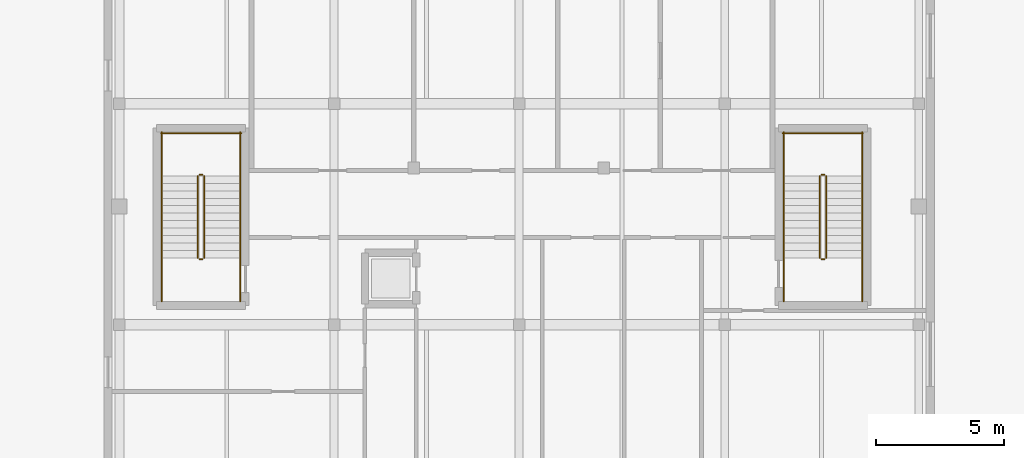
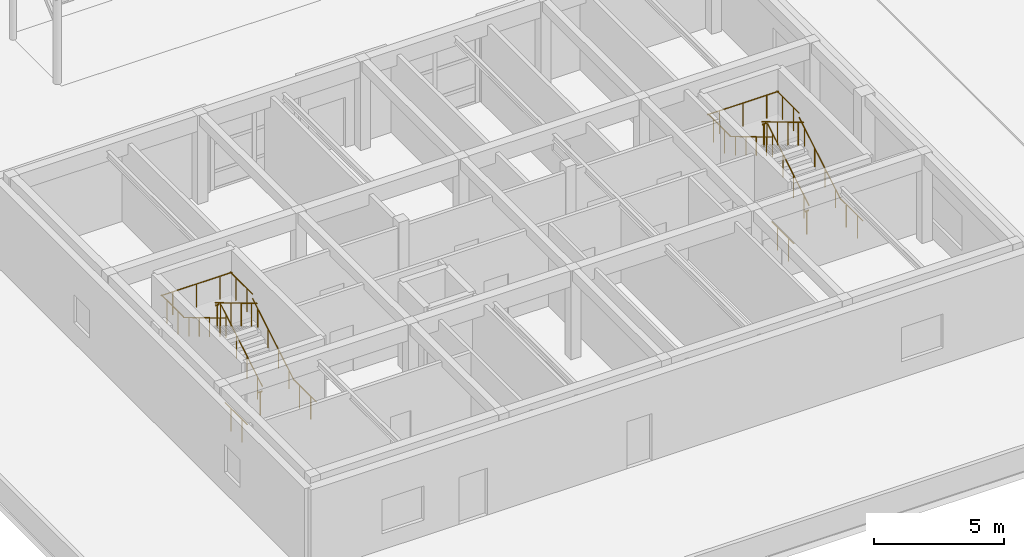
# One storey, part 94 of 114: 22 railings.
"""IFC4 building model written with IfcOpenShell, lengths in metres."""

import ifcopenshell
import ifcopenshell.guid

model = None  # the IFC model being written
_history = None  # IfcOwnerHistory: only IFC2X3 demands one
_inside = {}  # id of a spatial element -> (the spatial element, [elements in it])
_under = {}  # id of a project, library or spatial element -> (it, [spatial elements below it])
_declared = {}  # id of a project -> (the project, [libraries it declares])
_typed = {}  # id of a type object -> (the type object, [elements of that type])
_made_of = {}  # id of a material, layer set ... -> (it, [elements and type objects made of it])


def new_model(schema):
    """Start an empty IFC model of exactly this schema.

    Asked for "IFC4X3", IfcOpenShell would pick the latest addendum, in which some entities
    have other attributes; the version numbers below select the first issue.
    IFC2X3 requires an IfcOwnerHistory on every rooted entity: one is made here for all.
    """
    global model, _history
    if schema == "IFC4X3":
        model = ifcopenshell.file(schema_version=(4, 3, 0, 0))
    else:
        model = ifcopenshell.file(schema=schema)
    _inside.clear()
    _under.clear()
    _declared.clear()
    _typed.clear()
    _made_of.clear()
    _history = None
    if model.schema == "IFC2X3":
        org = make("IfcOrganization", Name="unknown")
        user = make(
            "IfcPersonAndOrganization",
            ThePerson=make("IfcPerson", FamilyName="unknown"),
            TheOrganization=org,
        )
        app = make(
            "IfcApplication",
            ApplicationDeveloper=org,
            Version="unknown",
            ApplicationFullName="unknown",
            ApplicationIdentifier="unknown",
        )
        _history = make(
            "IfcOwnerHistory",
            OwningUser=user,
            OwningApplication=app,
            ChangeAction="ADDED",
            CreationDate=0,
        )
    return model


def make(cls, **values):
    """One entity of the class cls with the attributes given. An attribute that is None is left unset."""
    return model.create_entity(
        cls, **{name: value for name, value in values.items() if value is not None}
    )


def rooted(cls, **values):
    """An entity with a GlobalId (a new one), such as an element, a storey or a relation."""
    return make(cls, GlobalId=ifcopenshell.guid.new(), OwnerHistory=_history, **values)


def si_unit(unit_type, name, prefix=None):
    """IfcSIUnit, for example si_unit("LENGTHUNIT", "METRE", prefix="MILLI")."""
    return make("IfcSIUnit", UnitType=unit_type, Prefix=prefix, Name=name)


def assignment(units):
    """IfcUnitAssignment: the units of a project."""
    return None if units is None else make("IfcUnitAssignment", Units=units)


def point(xyz):
    """IfcCartesianPoint."""
    return None if xyz is None else make("IfcCartesianPoint", Coordinates=xyz)


def direction(xyz):
    """IfcDirection."""
    return None if xyz is None else make("IfcDirection", DirectionRatios=xyz)


def frame(location, z_axis=None, x_axis=None):
    """IfcAxis2Placement3D, a coordinate frame: its origin and axes. An axis left out is left unset."""
    return make(
        "IfcAxis2Placement3D",
        Location=point(location),
        Axis=direction(z_axis),
        RefDirection=direction(x_axis),
    )


def frame_2d(location, x_axis=None):
    """IfcAxis2Placement2D, a coordinate frame in the plane: its origin and x axis."""
    return make(
        "IfcAxis2Placement2D", Location=point(location), RefDirection=direction(x_axis)
    )


def origin():
    """The frame at (0, 0, 0) with its axes left unset."""
    return frame((0.0, 0.0, 0.0))


def origin_2d():
    """The frame at (0, 0) in the plane with its x axis left unset."""
    return frame_2d((0.0, 0.0))


def place(relative_to, where):
    """IfcLocalPlacement: puts the frame where relative to a parent placement (None: the world)."""
    return make(
        "IfcLocalPlacement", PlacementRelTo=relative_to, RelativePlacement=where
    )


def context(
    kind, dimensions, precision=None, world=None, true_north=None, identifier=None
):
    """IfcGeometricRepresentationContext, for example the 3D "Model" context."""
    return make(
        "IfcGeometricRepresentationContext",
        ContextIdentifier=identifier,
        ContextType=kind,
        CoordinateSpaceDimension=dimensions,
        Precision=precision,
        WorldCoordinateSystem=world,
        TrueNorth=true_north,
    )


def subcontext(parent, identifier, kind, view, scale=None):
    """IfcGeometricRepresentationSubContext, for example "Body" below "Model"."""
    return make(
        "IfcGeometricRepresentationSubContext",
        ContextIdentifier=identifier,
        ContextType=kind,
        ParentContext=parent,
        TargetScale=scale,
        TargetView=view,
    )


def project(units=None, contexts=None):
    """IfcProject with its units and contexts."""
    return rooted(
        "IfcProject",
        Name="project",
        RepresentationContexts=contexts,
        UnitsInContext=assignment(units),
    )


def spatial(cls, under=None, at=None, **own):
    """A site, building, storey or space (cls), placed at a placement, below another one or the project."""
    s = rooted(cls, ObjectPlacement=at, **own)
    if under is not None:
        _under.setdefault(under.id(), (under, []))[1].append(s)
    return s


def profile(cls, at=None, kind="AREA", **sizes):
    """A parametric profile (cls). Its sizes go by their IFC names, for example OverallWidth=200.0."""
    return make(cls, ProfileType=kind, Position=at, **sizes)


def circle(**sizes):
    """IfcCircleProfileDef."""
    return profile("IfcCircleProfileDef", **sizes)


def extrude(swept, where, along, depth):
    """IfcExtrudedAreaSolid: the profile swept, set in the frame where, extruded along a direction by depth."""
    return make(
        "IfcExtrudedAreaSolid",
        SweptArea=swept,
        Position=where,
        ExtrudedDirection=direction(along),
        Depth=depth,
    )


def shape(context_of_items, identifier, shape_type, items):
    """IfcShapeRepresentation: the items that make up one representation, for example the "Body"."""
    return make(
        "IfcShapeRepresentation",
        ContextOfItems=context_of_items,
        RepresentationIdentifier=identifier,
        RepresentationType=shape_type,
        Items=items,
    )


def material(Name=None, Category=None):
    """IfcMaterial."""
    return make("IfcMaterial", Name=Name, Category=Category)


def made_of(thing, what):
    """Note that an element or type object is made of a material, layer set ...; save() writes the relation."""
    if what is not None:
        _made_of.setdefault(what.id(), (what, []))[1].append(thing)
    return thing


def type_object(cls, material=None, **own):
    """A type object (cls), such as IfcWallType, which elements share."""
    return made_of(rooted(cls, **own), material)


def element(
    cls,
    number,
    at=None,
    inside=None,
    cuts=None,
    type_object=None,
    material=None,
    context=None,
    identifier="Body",
    shape_type=None,
    held_by="IfcProductDefinitionShape",
    body=None,
    shapes=None,
    **own,
):
    """One element of the class cls, such as IfcWall. Its Tag is "e" and its number.

    at: its placement. inside: the storey or other place that contains it. cuts: it is an
    opening in that element (IfcRelVoidsElement). A single representation is given by context,
    identifier, shape_type and body (its items); several are given by shapes. held_by: the class
    of the entity that holds the representations. save() writes the other relations.
    """
    e = rooted(cls, Tag="e%d" % number, ObjectPlacement=at, **own)
    if body is not None:
        shapes = [shape(context, identifier, shape_type, body)]
    if shapes is not None:
        e.Representation = make(held_by, Representations=shapes)
    if inside is not None:
        _inside.setdefault(inside.id(), (inside, []))[1].append(e)
    if cuts is not None:
        rooted(
            "IfcRelVoidsElement", RelatingBuildingElement=cuts, RelatedOpeningElement=e
        )
    if type_object is not None:
        _typed.setdefault(type_object.id(), (type_object, []))[1].append(e)
    return made_of(e, material)


def aggregate(whole, parts):
    """IfcRelAggregates: a whole, such as a stair, and the parts it consists of."""
    return rooted("IfcRelAggregates", RelatingObject=whole, RelatedObjects=parts)


def save(model, path):
    """Write the relations noted so far, then the file.

    IfcRelAggregates (storeys below a building ...), IfcRelContainedInSpatialStructure (elements
    in a storey), IfcRelDefinesByType, IfcRelAssociatesMaterial and IfcRelDeclares: one each for
    every whole, place, type object, material and project.
    """
    for whole, parts in _under.values():
        aggregate(whole, parts)
    for where, things in _inside.values():
        rooted(
            "IfcRelContainedInSpatialStructure",
            RelatedElements=things,
            RelatingStructure=where,
        )
    for kind, things in _typed.values():
        rooted("IfcRelDefinesByType", RelatedObjects=things, RelatingType=kind)
    for what, things in _made_of.values():
        rooted("IfcRelAssociatesMaterial", RelatedObjects=things, RelatingMaterial=what)
    for by, libraries in _declared.values():
        rooted("IfcRelDeclares", RelatingContext=by, RelatedDefinitions=libraries)
    model.write(path)


model = new_model("IFC4")

# Units and contexts
model_context = context("Model", 3, precision=1e-05, world=origin(), true_north=direction((0.0, 1.0)))
body_context = subcontext(model_context, "Body", "Model", "MODEL_VIEW")
ifc_project = project(units=[si_unit("LENGTHUNIT", "METRE"), si_unit("AREAUNIT", "SQUARE_METRE"), si_unit("VOLUMEUNIT", "CUBIC_METRE"), si_unit("PLANEANGLEUNIT", "RADIAN"), si_unit("MASSUNIT", "GRAM", prefix="KILO")], contexts=[model_context])

# Site, building, storey
site_placement = place(None, origin())
site = spatial("IfcSite", under=ifc_project, at=site_placement, CompositionType="ELEMENT")
building_placement = place(site_placement, origin())
building = spatial("IfcBuilding", under=site, at=building_placement, Name="Keldmere Railside Commons", CompositionType="ELEMENT")
storey_placement = place(building_placement, origin())
storey = spatial("IfcBuildingStorey", under=building, at=storey_placement, Name="L00", CompositionType="ELEMENT", Elevation=0.0)

# Railings
ifc_material = material(Name="Steel F-24 (S235)", Category="steel")
railing_type_1 = type_object("IfcRailingType", Name="Stair Well Steel Guardrail 1100", PredefinedType="BALUSTRADE", material=ifc_material)
railing_1_placement = place(storey_placement, frame((11.75, 26.0, 0.17333984375)))
element("IfcRailing", 1, at=railing_1_placement, inside=storey, type_object=railing_type_1, Name="L00 ST-N1 stair guard 1", PredefinedType="BALUSTRADE", context=body_context, shape_type="SweptSolid", body=[
    extrude(circle(Radius=0.02392578125, at=origin_2d()), frame((0.0, 0.0, 1.076171875), z_axis=(0.0, 0.858349611844, 0.513065243265), x_axis=(-1.0, 0.0, 0.0)), (0.0, 0.0, 1.0), 3.71630859375),
    extrude(circle(Radius=0.02099609375, at=origin_2d()), frame((0.0, 0.398681640625, 0.23828125)), (0.0, 0.0, 1.0), 1.048095703125),
    extrude(circle(Radius=0.02099609375, at=origin_2d()), frame((0.0, 1.1962890625, 0.715087890625)), (0.0, 0.0, 1.0), 1.048095703125),
    extrude(circle(Radius=0.02099609375, at=origin_2d()), frame((0.0, 1.99365234375, 1.191650390625)), (0.0, 0.0, 1.0), 1.048095703125),
    extrude(circle(Radius=0.02099609375, at=origin_2d()), frame((0.0, 2.791259765625, 1.66845703125)), (0.0, 0.0, 1.0), 1.048095703125),
])
railing_2_placement = place(storey_placement, frame((11.699951171875, 29.239990234375, 2.080078125)))
element("IfcRailing", 2, at=railing_2_placement, inside=storey, type_object=railing_type_1, Name="L00 ST-N1 stair guard 2", PredefinedType="BALUSTRADE", context=body_context, shape_type="SweptSolid", body=[
    extrude(circle(Radius=0.02392578125, at=origin_2d()), frame((0.0, 0.0, 1.076171875), z_axis=(-1.0, 0.0, 0.0), x_axis=(0.0, -1.0, 0.0)), (0.0, 0.0, 1.0), 0.14990234375),
    extrude(circle(Radius=0.02099609375, at=origin_2d()), frame((-0.074951171875, 0.0, 0.0)), (0.0, 0.0, 1.0), 1.048095703125),
])
for number, where, name in (
    (3, (13.14990234375, 29.18994140625, 2.080078125), "L00 ST-N1 stair guard 3"),
    (4, (10.10009765625, 29.18994140625, 2.080078125), "L00 ST-N1 stair guard 4"),
):
    element("IfcRailing", number, at=place(storey_placement, frame(where)), inside=storey, type_object=railing_type_1, Name=name, PredefinedType="BALUSTRADE", context=body_context, shape_type="SweptSolid", body=[
        extrude(circle(Radius=0.02392578125, at=origin_2d()), frame((0.0, 0.0, 1.076171875), z_axis=(0.0, 1.0, 0.0), x_axis=(-1.0, 0.0, 0.0)), (0.0, 0.0, 1.0), 1.7099609375),
        extrude(circle(Radius=0.02099609375, at=origin_2d()), frame((0.0, 0.427490234375, 0.0)), (0.0, 0.0, 1.0), 1.048095703125),
        extrude(circle(Radius=0.02099609375, at=origin_2d()), frame((0.0, 1.282470703125, 0.0)), (0.0, 0.0, 1.0), 1.048095703125),
    ])
railing_3_placement = place(storey_placement, frame((13.199951171875, 30.85009765625, 2.080078125)))
element("IfcRailing", 5, at=railing_3_placement, inside=storey, type_object=railing_type_1, Name="L00 ST-N1 stair guard 5", PredefinedType="BALUSTRADE", context=body_context, shape_type="SweptSolid", body=[
    extrude(circle(Radius=0.02392578125, at=origin_2d()), frame((0.0, 0.0, 1.076171875), z_axis=(-1.0, 0.0, 0.0), x_axis=(0.0, -1.0, 0.0)), (0.0, 0.0, 1.0), 3.14990234375),
    extrude(circle(Radius=0.02099609375, at=origin_2d()), frame((-0.52490234375, 0.0, 0.0)), (0.0, 0.0, 1.0), 1.048095703125),
    extrude(circle(Radius=0.02099609375, at=origin_2d()), frame((-1.574951171875, 0.0, 0.0)), (0.0, 0.0, 1.0), 1.048095703125),
    extrude(circle(Radius=0.02099609375, at=origin_2d()), frame((-2.625, 0.0, 0.0)), (0.0, 0.0, 1.0), 1.048095703125),
])
railing_4_placement = place(storey_placement, frame((11.5, 29.18994140625, 2.25341796875)))
element("IfcRailing", 6, at=railing_4_placement, inside=storey, type_object=railing_type_1, Name="L00 ST-N1 stair guard 6", PredefinedType="BALUSTRADE", context=body_context, shape_type="SweptSolid", body=[
    extrude(circle(Radius=0.02392578125, at=origin_2d()), frame((0.0, 0.0, 1.076171875), z_axis=(0.0, -0.858378542117, 0.513016840302), x_axis=(1.0, 0.0, 0.0)), (0.0, 0.0, 1.0), 3.71630859375),
    extrude(circle(Radius=0.02099609375, at=origin_2d()), frame((0.0, -0.398681640625, 0.23828125)), (0.0, 0.0, 1.0), 1.048095703125),
    extrude(circle(Radius=0.02099609375, at=origin_2d()), frame((0.0, -1.1962890625, 0.71484375)), (0.0, 0.0, 1.0), 1.048095703125),
    extrude(circle(Radius=0.02099609375, at=origin_2d()), frame((0.0, -1.99365234375, 1.191650390625)), (0.0, 0.0, 1.0), 1.048095703125),
    extrude(circle(Radius=0.02099609375, at=origin_2d()), frame((0.0, -2.791259765625, 1.668212890625)), (0.0, 0.0, 1.0), 1.048095703125),
])
railing_5_placement = place(storey_placement, frame((11.699951171875, 25.949951171875, 0.0)))
element("IfcRailing", 7, at=railing_5_placement, inside=storey, type_object=railing_type_1, Name="L00 ST-N1 stair guard 7", PredefinedType="BALUSTRADE", context=body_context, shape_type="SweptSolid", body=[
    extrude(circle(Radius=0.02392578125, at=origin_2d()), frame((0.0, 0.0, 1.076171875), z_axis=(-1.0, 0.0, 0.0), x_axis=(0.0, -1.0, 0.0)), (0.0, 0.0, 1.0), 0.14990234375),
    extrude(circle(Radius=0.02099609375, at=origin_2d()), frame((-0.074951171875, 0.0, 0.0)), (0.0, 0.0, 1.0), 1.048095703125),
])
for number, where, name in (
    (8, (13.14990234375, 24.300048828125, 0.0), "L00 ST-N1 stair guard 8"),
    (9, (10.10009765625, 24.300048828125, 0.0), "L00 ST-N1 stair guard 9"),
):
    element("IfcRailing", number, at=place(storey_placement, frame(where)), inside=storey, type_object=railing_type_1, Name=name, PredefinedType="BALUSTRADE", context=body_context, shape_type="SweptSolid", body=[
        extrude(circle(Radius=0.02392578125, at=origin_2d()), frame((0.0, 0.0, 1.076171875), z_axis=(0.0, 1.0, 0.0), x_axis=(-1.0, 0.0, 0.0)), (0.0, 0.0, 1.0), 1.699951171875),
        extrude(circle(Radius=0.02099609375, at=origin_2d()), frame((0.0, 0.425048828125, 0.0)), (0.0, 0.0, 1.0), 1.048095703125),
        extrude(circle(Radius=0.02099609375, at=origin_2d()), frame((0.0, 1.27490234375, 0.0)), (0.0, 0.0, 1.0), 1.048095703125),
    ])
railing_6_placement = place(storey_placement, frame((35.949951171875, 26.0, 0.17333984375)))
element("IfcRailing", 10, at=railing_6_placement, inside=storey, type_object=railing_type_1, Name="L00 ST-N2 stair guard 1", PredefinedType="BALUSTRADE", context=body_context, shape_type="SweptSolid", body=[
    extrude(circle(Radius=0.02392578125, at=origin_2d()), frame((0.0, 0.0, 1.076171875), z_axis=(0.0, 0.858349611844, 0.513065243265), x_axis=(-1.0, 0.0, 0.0)), (0.0, 0.0, 1.0), 3.71630859375),
    extrude(circle(Radius=0.02099609375, at=origin_2d()), frame((0.0, 0.398681640625, 0.23828125)), (0.0, 0.0, 1.0), 1.048095703125),
    extrude(circle(Radius=0.02099609375, at=origin_2d()), frame((0.0, 1.1962890625, 0.715087890625)), (0.0, 0.0, 1.0), 1.048095703125),
    extrude(circle(Radius=0.02099609375, at=origin_2d()), frame((0.0, 1.99365234375, 1.191650390625)), (0.0, 0.0, 1.0), 1.048095703125),
    extrude(circle(Radius=0.02099609375, at=origin_2d()), frame((0.0, 2.791259765625, 1.66845703125)), (0.0, 0.0, 1.0), 1.048095703125),
])
railing_7_placement = place(storey_placement, frame((35.89990234375, 29.239990234375, 2.080078125)))
element("IfcRailing", 11, at=railing_7_placement, inside=storey, type_object=railing_type_1, Name="L00 ST-N2 stair guard 2", PredefinedType="BALUSTRADE", context=body_context, shape_type="SweptSolid", body=[
    extrude(circle(Radius=0.02392578125, at=origin_2d()), frame((0.0, 0.0, 1.076171875), z_axis=(-1.0, 0.0, 0.0), x_axis=(0.0, -1.0, 0.0)), (0.0, 0.0, 1.0), 0.14990234375),
    extrude(circle(Radius=0.02099609375, at=origin_2d()), frame((-0.074951171875, 0.0, 0.0)), (0.0, 0.0, 1.0), 1.048095703125),
])
for number, where, name in (
    (12, (37.35009765625, 29.18994140625, 2.080078125), "L00 ST-N2 stair guard 3"),
    (13, (34.300048828125, 29.18994140625, 2.080078125), "L00 ST-N2 stair guard 4"),
):
    element("IfcRailing", number, at=place(storey_placement, frame(where)), inside=storey, type_object=railing_type_1, Name=name, PredefinedType="BALUSTRADE", context=body_context, shape_type="SweptSolid", body=[
        extrude(circle(Radius=0.02392578125, at=origin_2d()), frame((0.0, 0.0, 1.076171875), z_axis=(0.0, 1.0, 0.0), x_axis=(-1.0, 0.0, 0.0)), (0.0, 0.0, 1.0), 1.7099609375),
        extrude(circle(Radius=0.02099609375, at=origin_2d()), frame((0.0, 0.427490234375, 0.0)), (0.0, 0.0, 1.0), 1.048095703125),
        extrude(circle(Radius=0.02099609375, at=origin_2d()), frame((0.0, 1.282470703125, 0.0)), (0.0, 0.0, 1.0), 1.048095703125),
    ])
railing_8_placement = place(storey_placement, frame((37.39990234375, 30.85009765625, 2.080078125)))
element("IfcRailing", 14, at=railing_8_placement, inside=storey, type_object=railing_type_1, Name="L00 ST-N2 stair guard 5", PredefinedType="BALUSTRADE", context=body_context, shape_type="SweptSolid", body=[
    extrude(circle(Radius=0.02392578125, at=origin_2d()), frame((0.0, 0.0, 1.076171875), z_axis=(-1.0, 0.0, 0.0), x_axis=(0.0, -1.0, 0.0)), (0.0, 0.0, 1.0), 3.14990234375),
    extrude(circle(Radius=0.02099609375, at=origin_2d()), frame((-0.52490234375, 0.0, 0.0)), (0.0, 0.0, 1.0), 1.048095703125),
    extrude(circle(Radius=0.02099609375, at=origin_2d()), frame((-1.574951171875, 0.0, 0.0)), (0.0, 0.0, 1.0), 1.048095703125),
    extrude(circle(Radius=0.02099609375, at=origin_2d()), frame((-2.625, 0.0, 0.0)), (0.0, 0.0, 1.0), 1.048095703125),
])
railing_9_placement = place(storey_placement, frame((35.699951171875, 29.18994140625, 2.25341796875)))
element("IfcRailing", 15, at=railing_9_placement, inside=storey, type_object=railing_type_1, Name="L00 ST-N2 stair guard 6", PredefinedType="BALUSTRADE", context=body_context, shape_type="SweptSolid", body=[
    extrude(circle(Radius=0.02392578125, at=origin_2d()), frame((0.0, 0.0, 1.076171875), z_axis=(0.0, -0.858378542117, 0.513016840302), x_axis=(1.0, 0.0, 0.0)), (0.0, 0.0, 1.0), 3.71630859375),
    extrude(circle(Radius=0.02099609375, at=origin_2d()), frame((0.0, -0.398681640625, 0.23828125)), (0.0, 0.0, 1.0), 1.048095703125),
    extrude(circle(Radius=0.02099609375, at=origin_2d()), frame((0.0, -1.1962890625, 0.71484375)), (0.0, 0.0, 1.0), 1.048095703125),
    extrude(circle(Radius=0.02099609375, at=origin_2d()), frame((0.0, -1.99365234375, 1.191650390625)), (0.0, 0.0, 1.0), 1.048095703125),
    extrude(circle(Radius=0.02099609375, at=origin_2d()), frame((0.0, -2.791259765625, 1.668212890625)), (0.0, 0.0, 1.0), 1.048095703125),
])
railing_10_placement = place(storey_placement, frame((35.89990234375, 25.949951171875, 0.0)))
element("IfcRailing", 16, at=railing_10_placement, inside=storey, type_object=railing_type_1, Name="L00 ST-N2 stair guard 7", PredefinedType="BALUSTRADE", context=body_context, shape_type="SweptSolid", body=[
    extrude(circle(Radius=0.02392578125, at=origin_2d()), frame((0.0, 0.0, 1.076171875), z_axis=(-1.0, 0.0, 0.0), x_axis=(0.0, -1.0, 0.0)), (0.0, 0.0, 1.0), 0.14990234375),
    extrude(circle(Radius=0.02099609375, at=origin_2d()), frame((-0.074951171875, 0.0, 0.0)), (0.0, 0.0, 1.0), 1.048095703125),
])
for number, where, name in (
    (17, (37.35009765625, 24.300048828125, 0.0), "L00 ST-N2 stair guard 8"),
    (18, (34.300048828125, 24.300048828125, 0.0), "L00 ST-N2 stair guard 9"),
):
    element("IfcRailing", number, at=place(storey_placement, frame(where)), inside=storey, type_object=railing_type_1, Name=name, PredefinedType="BALUSTRADE", context=body_context, shape_type="SweptSolid", body=[
        extrude(circle(Radius=0.02392578125, at=origin_2d()), frame((0.0, 0.0, 1.076171875), z_axis=(0.0, 1.0, 0.0), x_axis=(-1.0, 0.0, 0.0)), (0.0, 0.0, 1.0), 1.699951171875),
        extrude(circle(Radius=0.02099609375, at=origin_2d()), frame((0.0, 0.425048828125, 0.0)), (0.0, 0.0, 1.0), 1.048095703125),
        extrude(circle(Radius=0.02099609375, at=origin_2d()), frame((0.0, 1.27490234375, 0.0)), (0.0, 0.0, 1.0), 1.048095703125),
    ])
railing_type_2 = type_object("IfcRailingType", Name="Wall-Mounted Tubular Steel Handrail 900", PredefinedType="HANDRAIL", material=ifc_material)
railing_11_placement = place(storey_placement, frame((13.14990234375, 26.0, 0.17333984375)))
element("IfcRailing", 19, at=railing_11_placement, inside=storey, type_object=railing_type_2, Name="L00 ST-N1 stair handrail 1", PredefinedType="HANDRAIL", context=body_context, shape_type="SweptSolid", body=[
    extrude(circle(Radius=0.02392578125, at=origin_2d()), frame((0.0, 0.0, 0.8759765625), z_axis=(0.0, 0.858349611844, 0.513065243265), x_axis=(-1.0, 0.0, 0.0)), (0.0, 0.0, 1.0), 3.71630859375),
    extrude(circle(Radius=0.02099609375, at=origin_2d()), frame((0.0, 0.398681640625, 0.23828125)), (0.0, 0.0, 1.0), 0.847900390625),
    extrude(circle(Radius=0.02099609375, at=origin_2d()), frame((0.0, 1.1962890625, 0.715087890625)), (0.0, 0.0, 1.0), 0.847900390625),
    extrude(circle(Radius=0.02099609375, at=origin_2d()), frame((0.0, 1.99365234375, 1.191650390625)), (0.0, 0.0, 1.0), 0.847900390625),
    extrude(circle(Radius=0.02099609375, at=origin_2d()), frame((0.0, 2.791259765625, 1.66845703125)), (0.0, 0.0, 1.0), 0.847900390625),
])
railing_12_placement = place(storey_placement, frame((10.10009765625, 29.18994140625, 2.25341796875)))
element("IfcRailing", 20, at=railing_12_placement, inside=storey, type_object=railing_type_2, Name="L00 ST-N1 stair handrail 2", PredefinedType="HANDRAIL", context=body_context, shape_type="SweptSolid", body=[
    extrude(circle(Radius=0.02392578125, at=origin_2d()), frame((0.0, 0.0, 0.8759765625), z_axis=(0.0, -0.858378542117, 0.513016840302), x_axis=(1.0, 0.0, 0.0)), (0.0, 0.0, 1.0), 3.71630859375),
    extrude(circle(Radius=0.02099609375, at=origin_2d()), frame((0.0, -0.398681640625, 0.23828125)), (0.0, 0.0, 1.0), 0.847900390625),
    extrude(circle(Radius=0.02099609375, at=origin_2d()), frame((0.0, -1.1962890625, 0.71484375)), (0.0, 0.0, 1.0), 0.847900390625),
    extrude(circle(Radius=0.02099609375, at=origin_2d()), frame((0.0, -1.99365234375, 1.191650390625)), (0.0, 0.0, 1.0), 0.847900390625),
    extrude(circle(Radius=0.02099609375, at=origin_2d()), frame((0.0, -2.791259765625, 1.668212890625)), (0.0, 0.0, 1.0), 0.847900390625),
])
railing_13_placement = place(storey_placement, frame((37.35009765625, 26.0, 0.17333984375)))
element("IfcRailing", 21, at=railing_13_placement, inside=storey, type_object=railing_type_2, Name="L00 ST-N2 stair handrail 1", PredefinedType="HANDRAIL", context=body_context, shape_type="SweptSolid", body=[
    extrude(circle(Radius=0.02392578125, at=origin_2d()), frame((0.0, 0.0, 0.8759765625), z_axis=(0.0, 0.858349611844, 0.513065243265), x_axis=(-1.0, 0.0, 0.0)), (0.0, 0.0, 1.0), 3.71630859375),
    extrude(circle(Radius=0.02099609375, at=origin_2d()), frame((0.0, 0.398681640625, 0.23828125)), (0.0, 0.0, 1.0), 0.847900390625),
    extrude(circle(Radius=0.02099609375, at=origin_2d()), frame((0.0, 1.1962890625, 0.715087890625)), (0.0, 0.0, 1.0), 0.847900390625),
    extrude(circle(Radius=0.02099609375, at=origin_2d()), frame((0.0, 1.99365234375, 1.191650390625)), (0.0, 0.0, 1.0), 0.847900390625),
    extrude(circle(Radius=0.02099609375, at=origin_2d()), frame((0.0, 2.791259765625, 1.66845703125)), (0.0, 0.0, 1.0), 0.847900390625),
])
railing_14_placement = place(storey_placement, frame((34.300048828125, 29.18994140625, 2.25341796875)))
element("IfcRailing", 22, at=railing_14_placement, inside=storey, type_object=railing_type_2, Name="L00 ST-N2 stair handrail 2", PredefinedType="HANDRAIL", context=body_context, shape_type="SweptSolid", body=[
    extrude(circle(Radius=0.02392578125, at=origin_2d()), frame((0.0, 0.0, 0.8759765625), z_axis=(0.0, -0.858378542117, 0.513016840302), x_axis=(1.0, 0.0, 0.0)), (0.0, 0.0, 1.0), 3.71630859375),
    extrude(circle(Radius=0.02099609375, at=origin_2d()), frame((0.0, -0.398681640625, 0.23828125)), (0.0, 0.0, 1.0), 0.847900390625),
    extrude(circle(Radius=0.02099609375, at=origin_2d()), frame((0.0, -1.1962890625, 0.71484375)), (0.0, 0.0, 1.0), 0.847900390625),
    extrude(circle(Radius=0.02099609375, at=origin_2d()), frame((0.0, -1.99365234375, 1.191650390625)), (0.0, 0.0, 1.0), 0.847900390625),
    extrude(circle(Radius=0.02099609375, at=origin_2d()), frame((0.0, -2.791259765625, 1.668212890625)), (0.0, 0.0, 1.0), 0.847900390625),
])

save(model, "model.ifc")
